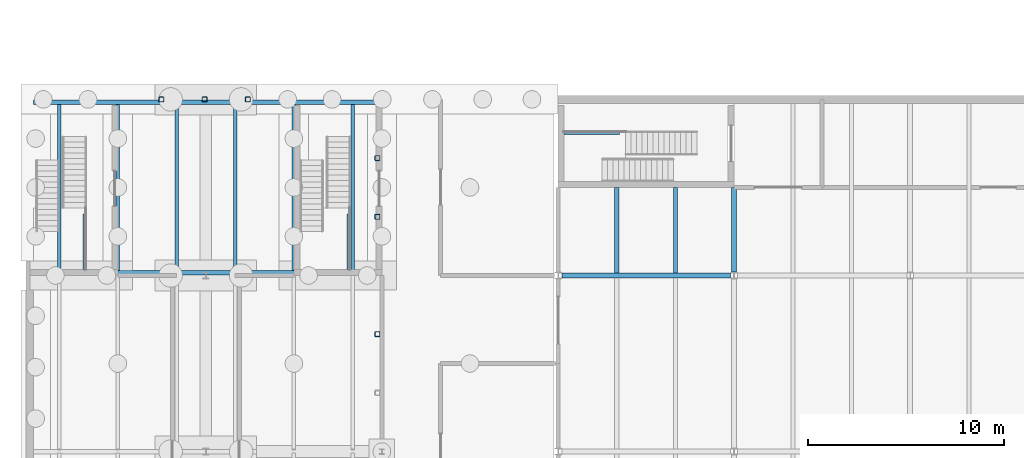
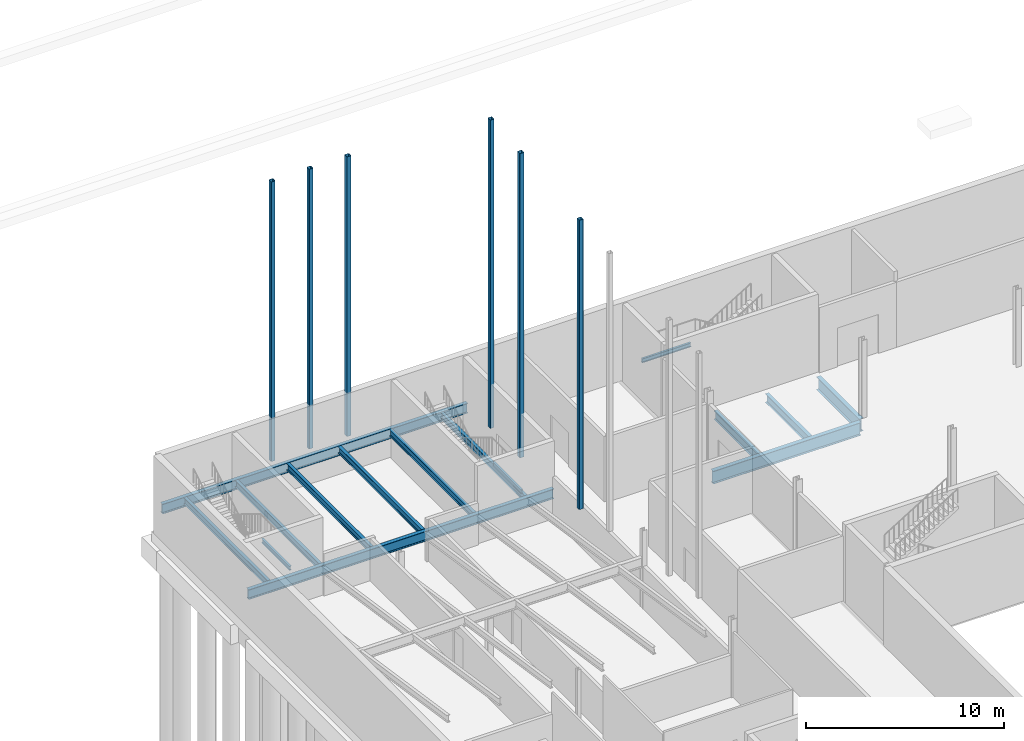
# One storey, part 11 of 31: 15 beams, 6 members.
"""IFC4 building model written with IfcOpenShell, lengths in metres."""

from ifc_helpers import new_model, si_unit, direction, frame, origin, origin_2d, place, context, subcontext, project, spatial, hollow_rectangle, i_section, extrude, material, material_profile, profile_set, type_object, element, save


model = new_model("IFC4")

# Units and contexts
model_context = context("Model", 3, precision=1e-05, world=origin(), true_north=direction((0.0, 1.0)))
body_context = subcontext(model_context, "Body", "Model", "MODEL_VIEW")
ifc_project = project(units=[si_unit("LENGTHUNIT", "METRE"), si_unit("AREAUNIT", "SQUARE_METRE"), si_unit("VOLUMEUNIT", "CUBIC_METRE"), si_unit("PLANEANGLEUNIT", "RADIAN"), si_unit("MASSUNIT", "GRAM", prefix="KILO")], contexts=[model_context])

# Site, building, storey
site_placement = place(None, origin())
site = spatial("IfcSite", under=ifc_project, at=site_placement, CompositionType="ELEMENT")
building_placement = place(site_placement, origin())
building = spatial("IfcBuilding", under=site, at=building_placement, Name="Halyard Row Museum", CompositionType="ELEMENT")
storey_placement = place(building_placement, frame((0.0, 0.0, -4.800048828125)))
storey = spatial("IfcBuildingStorey", under=building, at=storey_placement, Name="B1", CompositionType="ELEMENT", Elevation=-4.800048828125)

# Members
ifc_material_1 = material(Name="Steel Grade C350L0", Category="steel")
ifc_material_profile_1 = material_profile(ifc_material_1, hollow_rectangle(XDim=0.25, YDim=0.25, WallThickness=0.012451171875, InnerFilletRadius=0.018798828125, OuterFilletRadius=0.03125, at=origin_2d()), Name="250x250x12.5SHS")
ifc_profile_set_1 = profile_set([ifc_material_profile_1], Name="Steel Grade C350L0")
member_type = type_object("IfcMemberType", Name="Acoustic wall post 250x250x12.5SHS", PredefinedType="POST", material=ifc_profile_set_1)
member_1_placement = place(storey_placement, frame((17.76953125, 33.0, 2.550048828125), z_axis=(0.0, 0.0, 1.0), x_axis=(1.0, 0.0, 0.0)))
element("IfcMember", 1, at=member_1_placement, inside=storey, type_object=member_type, Name="Acoustic post east wall y 33", PredefinedType="POST", context=body_context, shape_type="SweptSolid", body=[
    extrude(hollow_rectangle(XDim=0.25, YDim=0.25, WallThickness=0.012451171875, InnerFilletRadius=0.018798828125, OuterFilletRadius=0.03125, at=origin_2d()), origin(), (0.0, 0.0, 1.0), 17.840576171875),
])
member_2_placement = place(storey_placement, frame((17.76953125, 39.0, 2.10009765625), z_axis=(0.0, 0.0, 1.0), x_axis=(1.0, 0.0, 0.0)))
element("IfcMember", 2, at=member_2_placement, inside=storey, type_object=member_type, Name="Acoustic post east wall y 39", PredefinedType="POST", context=body_context, shape_type="SweptSolid", body=[
    extrude(hollow_rectangle(XDim=0.25, YDim=0.25, WallThickness=0.012451171875, InnerFilletRadius=0.018798828125, OuterFilletRadius=0.03125, at=origin_2d()), origin(), (0.0, 0.0, 1.0), 18.7705078125),
])
member_3_placement = place(storey_placement, frame((17.76953125, 42.0, 2.10009765625), z_axis=(0.0, 0.0, 1.0), x_axis=(1.0, 0.0, 0.0)))
element("IfcMember", 3, at=member_3_placement, inside=storey, type_object=member_type, Name="Acoustic post east wall y 42", PredefinedType="POST", context=body_context, shape_type="SweptSolid", body=[
    extrude(hollow_rectangle(XDim=0.25, YDim=0.25, WallThickness=0.012451171875, InnerFilletRadius=0.018798828125, OuterFilletRadius=0.03125, at=origin_2d()), origin(), (0.0, 0.0, 1.0), 19.010498046875),
])
for number, where, z_axis, x_axis, name in (
    (4, (6.72607421875, 45.0, 2.10009765625), (0.0, 0.0, 1.0), (1.0, 0.0, 0.0), "Acoustic post north wall 3"),
    (5, (8.934814453125, 45.0, 2.10009765625), (0.0, 0.0, 1.0), (1.0, 0.0, 0.0), "Acoustic post north wall 4"),
    (6, (11.1435546875, 45.0, 2.10009765625), (0.0, 0.0, 1.0), (1.0, 0.0, 0.0), "Acoustic post north wall 5"),
):
    element("IfcMember", number, at=place(storey_placement, frame(where, z_axis=z_axis, x_axis=x_axis)), inside=storey, type_object=member_type, Name=name, PredefinedType="POST", context=body_context, shape_type="SweptSolid", body=[
        extrude(hollow_rectangle(XDim=0.25, YDim=0.25, WallThickness=0.012451171875, InnerFilletRadius=0.018798828125, OuterFilletRadius=0.03125, at=origin_2d()), origin(), (0.0, 0.0, 1.0), 17.25048828125),
    ])

# Beams
ifc_material_2 = material(Name="Steel Grade 300", Category="steel")
ifc_material_profile_2 = material_profile(ifc_material_2, i_section(OverallWidth=0.177978515625, OverallDepth=0.402587890625, WebThickness=0.007568359375, FlangeThickness=0.010986328125, FilletRadius=0.011474609375, at=origin_2d()), Name="410UB53.7")
ifc_profile_set_2 = profile_set([ifc_material_profile_2], Name="Steel Grade 300")
beam_type_1 = type_object("IfcBeamType", Name="Frame beam 410UB53.7 span 3", PredefinedType="BEAM", material=ifc_profile_set_2)
for number, where, z_axis, x_axis, name in (
    (7, (1.5, 36.263916015625, 1.5986328125), (0.0, 1.0, 0.0), (-1.0, 0.0, 0.0), "Rake beam x 1.5 span 3"),
    (8, (4.5, 36.263916015625, 1.5986328125), (0.0, 1.0, 0.0), (-1.0, 0.0, 0.0), "Rake beam x 4.5 span 3"),
    (9, (7.5, 36.263916015625, 1.5986328125), (0.0, 1.0, 0.0), (-1.0, 0.0, 0.0), "Rake beam x 7.5 span 3"),
    (10, (10.5, 36.263916015625, 1.5986328125), (0.0, 1.0, 0.0), (-1.0, 0.0, 0.0), "Rake beam x 10.5 span 3"),
    (11, (13.5, 36.263916015625, 1.5986328125), (0.0, 1.0, 0.0), (-1.0, 0.0, 0.0), "Rake beam x 13.5 span 3"),
    (12, (16.5, 36.263916015625, 1.5986328125), (0.0, 1.0, 0.0), (-1.0, 0.0, 0.0), "Rake beam x 16.5 span 3"),
):
    element("IfcBeam", number, at=place(storey_placement, frame(where, z_axis=z_axis, x_axis=x_axis)), inside=storey, type_object=beam_type_1, Name=name, PredefinedType="BEAM", context=body_context, shape_type="SweptSolid", body=[
        extrude(i_section(OverallWidth=0.177978515625, OverallDepth=0.402587890625, WebThickness=0.007568359375, FlangeThickness=0.010986328125, FilletRadius=0.011474609375, at=origin_2d()), origin(), (0.0, 0.0, 1.0), 8.47216796875),
    ])
ifc_material_3 = material(Name="Steel Grade 300", Category="steel")
ifc_material_profile_3 = material_profile(ifc_material_3, i_section(OverallWidth=0.22802734375, OverallDepth=0.60693359375, WebThickness=0.01123046875, FlangeThickness=0.017333984375, FilletRadius=0.013916015625, at=origin_2d()), Name="610UB113")
ifc_profile_set_3 = profile_set([ifc_material_profile_3], Name="Steel Grade 300")
beam_type_2 = type_object("IfcBeamType", Name="Frame girder 610UB113 grid E", PredefinedType="BEAM", material=ifc_profile_set_3)
beam_1_placement = place(storey_placement, frame((0.199951171875, 36.14990234375, 1.4931640625), z_axis=(1.0, 0.0, 0.0), x_axis=(0.0, 1.0, 0.0)))
element("IfcBeam", 13, at=beam_1_placement, inside=storey, type_object=beam_type_2, Name="Rake girder y 36", PredefinedType="BEAM", context=body_context, shape_type="SweptSolid", body=[
    extrude(i_section(OverallWidth=0.22802734375, OverallDepth=0.60693359375, WebThickness=0.01123046875, FlangeThickness=0.017333984375, FilletRadius=0.013916015625, at=origin_2d()), origin(), (0.0, 0.0, 1.0), 17.800048828125),
])
ifc_material_4 = material(Name="Steel Grade 300", Category="steel")
ifc_material_profile_4 = material_profile(ifc_material_4, i_section(OverallWidth=0.22802734375, OverallDepth=0.60693359375, WebThickness=0.01123046875, FlangeThickness=0.017333984375, FilletRadius=0.013916015625, at=origin_2d()), Name="610UB113")
ifc_profile_set_4 = profile_set([ifc_material_profile_4], Name="Steel Grade 300")
beam_type_3 = type_object("IfcBeamType", Name="Frame girder 610UB113 grid F", PredefinedType="BEAM", material=ifc_profile_set_4)
beam_2_placement = place(storey_placement, frame((0.199951171875, 44.85009765625, 1.49658203125), z_axis=(1.0, 0.0, 0.0), x_axis=(0.0, 1.0, 0.0)))
element("IfcBeam", 14, at=beam_2_placement, inside=storey, type_object=beam_type_3, Name="Rake girder y 45", PredefinedType="BEAM", context=body_context, shape_type="SweptSolid", body=[
    extrude(i_section(OverallWidth=0.22802734375, OverallDepth=0.60693359375, WebThickness=0.01123046875, FlangeThickness=0.017333984375, FilletRadius=0.013916015625, at=origin_2d()), origin(), (0.0, 0.0, 1.0), 17.800048828125),
])
ifc_material_5 = material(Name="Steel Grade 300", Category="steel")
ifc_material_profile_5 = material_profile(ifc_material_5, i_section(OverallWidth=0.25, OverallDepth=0.7919921875, WebThickness=0.010009765625, FlangeThickness=0.01611328125, at=origin_2d()), Name="800WB122")
ifc_profile_set_5 = profile_set([ifc_material_profile_5], Name="Steel Grade 300")
beam_type_4 = type_object("IfcBeamType", Name="Girder beam 800WB122 (lowered 85)", PredefinedType="BEAM", material=ifc_profile_set_5)
beam_3_placement = place(storey_placement, frame((27.199951171875, 36.0, -0.64599609375), z_axis=(1.0, 0.0, 0.0), x_axis=(0.0, 1.0, 0.0)))
element("IfcBeam", 15, at=beam_3_placement, inside=storey, type_object=beam_type_4, Name="Beam B1-010", PredefinedType="BEAM", context=body_context, shape_type="SweptSolid", body=[
    extrude(i_section(OverallWidth=0.25, OverallDepth=0.7919921875, WebThickness=0.010009765625, FlangeThickness=0.01611328125, at=origin_2d()), origin(), (0.0, 0.0, 1.0), 8.625),
])
beam_4_placement = place(storey_placement, frame((36.0, 36.16943359375, -0.64599609375), z_axis=(0.0, 1.0, 0.0), x_axis=(-1.0, 0.0, 0.0)))
element("IfcBeam", 16, at=beam_4_placement, inside=storey, type_object=beam_type_4, Name="Beam B1-026", PredefinedType="BEAM", context=body_context, shape_type="SweptSolid", body=[
    extrude(i_section(OverallWidth=0.25, OverallDepth=0.7919921875, WebThickness=0.010009765625, FlangeThickness=0.01611328125, at=origin_2d()), origin(), (0.0, 0.0, 1.0), 4.33056640625),
])
ifc_material_6 = material(Name="Steel Grade 300", Category="steel")
ifc_material_profile_6 = material_profile(ifc_material_6, i_section(OverallWidth=0.1240234375, OverallDepth=0.248046875, WebThickness=0.0048828125, FlangeThickness=0.008056640625, FilletRadius=0.011962890625, at=origin_2d()), Name="250UB25.7")
ifc_profile_set_6 = profile_set([ifc_material_profile_6], Name="Steel Grade 300")
beam_type_5 = type_object("IfcBeamType", Name="Landing trimmer 250UB25.7", PredefinedType="BEAM", material=ifc_profile_set_6)
for number, where, z_axis, x_axis, name in (
    (17, (27.297119140625, 43.278076171875, 2.075927734375), (1.0, 0.0, 0.0), (0.0, 1.0, 0.0), "Landing ledger K1A B1 1"),
    (18, (16.278076171875, 36.297119140625, 2.075927734375), (0.0, 1.0, 0.0), (-1.0, 0.0, 0.0), "Landing ledger K3N B1 1"),
    (19, (2.778076171875, 36.297119140625, 2.075927734375), (0.0, 1.0, 0.0), (-1.0, 0.0, 0.0), "Landing ledger K3W B1 1"),
):
    element("IfcBeam", number, at=place(storey_placement, frame(where, z_axis=z_axis, x_axis=x_axis)), inside=storey, type_object=beam_type_5, Name=name, PredefinedType="BEAM", context=body_context, shape_type="SweptSolid", body=[
        extrude(i_section(OverallWidth=0.1240234375, OverallDepth=0.248046875, WebThickness=0.0048828125, FlangeThickness=0.008056640625, FilletRadius=0.011962890625, at=origin_2d()), origin(), (0.0, 0.0, 1.0), 2.852783203125),
    ])
ifc_material_7 = material(Name="Steel Grade 300", Category="steel")
ifc_material_profile_7 = material_profile(ifc_material_7, i_section(OverallWidth=0.208984375, OverallDepth=0.5283203125, WebThickness=0.009521484375, FlangeThickness=0.01318359375, FilletRadius=0.013916015625, at=origin_2d()), Name="530UB82.0")
ifc_profile_set_7 = profile_set([ifc_material_profile_7], Name="Steel Grade 300")
beam_type_6 = type_object("IfcBeamType", Name="Secondary beam 530UB82.0 (lowered 85)", PredefinedType="BEAM", material=ifc_profile_set_7)
for number, where, z_axis, x_axis, name in (
    (20, (30.0, 36.125, -0.51416015625), (0.0, 1.0, 0.0), (-1.0, 0.0, 0.0), "Beam B1-086"),
    (21, (33.0, 36.125, -0.51416015625), (0.0, 1.0, 0.0), (-1.0, 0.0, 0.0), "Beam B1-087"),
):
    element("IfcBeam", number, at=place(storey_placement, frame(where, z_axis=z_axis, x_axis=x_axis)), inside=storey, type_object=beam_type_6, Name=name, PredefinedType="BEAM", context=body_context, shape_type="SweptSolid", body=[
        extrude(i_section(OverallWidth=0.208984375, OverallDepth=0.5283203125, WebThickness=0.009521484375, FlangeThickness=0.01318359375, FilletRadius=0.013916015625, at=origin_2d()), origin(), (0.0, 0.0, 1.0), 4.375),
    ])

save(model, "model.ifc")
